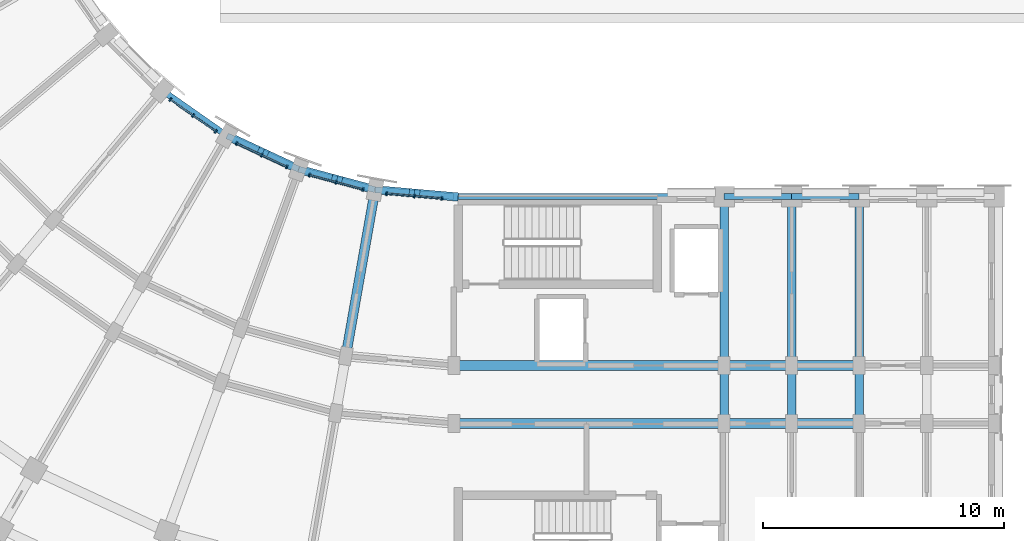
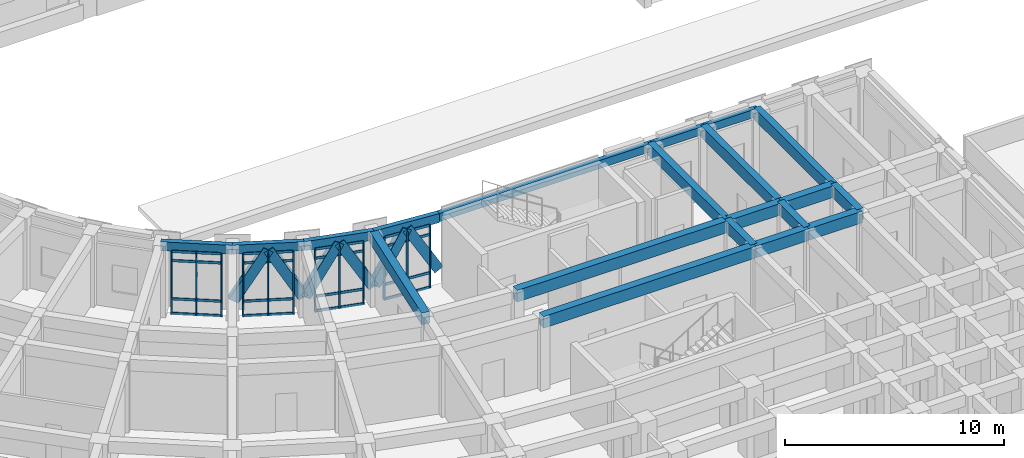
# One storey, part 10 of 97: 28 members, 26 beams, 4 elements without a shape of their own.
"""IFC4 building model written with IfcOpenShell, lengths in metres."""

from ifc_helpers import new_model, si_unit, direction, frame, origin, origin_2d, place, context, subcontext, project, spatial, rectangle, extrude, material, material_profile, profile_set, type_object, element, aggregate, save


model = new_model("IFC4")

# Units and contexts
model_context = context("Model", 3, precision=1e-05, world=origin(), true_north=direction((0.0, 1.0)))
body_context = subcontext(model_context, "Body", "Model", "MODEL_VIEW")
ifc_project = project(units=[si_unit("LENGTHUNIT", "METRE"), si_unit("AREAUNIT", "SQUARE_METRE"), si_unit("VOLUMEUNIT", "CUBIC_METRE"), si_unit("PLANEANGLEUNIT", "RADIAN"), si_unit("MASSUNIT", "GRAM", prefix="KILO")], contexts=[model_context])

# Site, building, storey
site_placement = place(None, origin())
site = spatial("IfcSite", under=ifc_project, at=site_placement, CompositionType="ELEMENT")
building_placement = place(site_placement, origin())
building = spatial("IfcBuilding", under=site, at=building_placement, Name="Kiranvali Square Residences", CompositionType="ELEMENT")
storey_placement = place(building_placement, frame((0.0, 0.0, 4.5)))
storey = spatial("IfcBuildingStorey", under=building, at=storey_placement, Name="L01", CompositionType="ELEMENT", Elevation=4.5)

# Beams
ifc_material_1 = material(Name="Concrete M40 (40 MPa)", Category="concrete")
ifc_material_profile_1 = material_profile(ifc_material_1, rectangle(XDim=0.35009765625, YDim=0.5, at=origin_2d()), Name="RC 350x500")
ifc_profile_set_1 = profile_set([ifc_material_profile_1], Name="Concrete M40 (40 MPa)")
beam_type_1 = type_object("IfcBeamType", Name="AR-M40-350x500", PredefinedType="USERDEFINED", material=ifc_profile_set_1)
beam_1_placement = place(storey_placement, frame((48.16015625, 29.403564453125, 0.89990234375), z_axis=(-0.500656395973, 0.043748910885, 0.864539881074), x_axis=(-0.087051384176, -0.996203822776, 0.0)))
element("IfcBeam", 1, at=beam_1_placement, inside=storey, type_object=beam_type_1, Name="Classical pointed Ottoman arch rib ARCH-C-CRV-0-00.1", ObjectType="ARCH RIB", PredefinedType="USERDEFINED", context=body_context, shape_type="SweptSolid", body=[
    extrude(rectangle(XDim=0.35009765625, YDim=0.5, at=origin_2d()), origin(), (0.0, 0.0, 1.0), 3.180908203125),
])
for number, where, z_axis, x_axis, name in (
    (2, (46.567626953125, 29.542724609375, 3.64990234375), (-0.50059719619, 0.043827200096, -0.864570195935), (-0.087216214448, -0.996189405654, 0.0), "Classical pointed Ottoman arch rib ARCH-C-CRV-0-00.2"),
    (3, (44.896728515625, 29.696044921875, 0.89990234375), (-0.485399548819, 0.130023218801, 0.864569974368), (-0.258746265032, -0.965945324712, 0.0), "Classical pointed Ottoman arch rib ARCH-C-CRV-0-01.1"),
):
    element("IfcBeam", number, at=place(storey_placement, frame(where, z_axis=z_axis, x_axis=x_axis)), inside=storey, type_object=beam_type_1, Name=name, ObjectType="ARCH RIB", PredefinedType="USERDEFINED", context=body_context, shape_type="SweptSolid", body=[
        extrude(rectangle(XDim=0.35009765625, YDim=0.5, at=origin_2d()), origin(), (0.0, 0.0, 1.0), 3.1806640625),
    ])
for number, where, z_axis, x_axis, name in (
    (4, (43.352783203125, 30.109619140625, 3.64990234375), (-0.485453370353, 0.130093828102, -0.864529132593), (-0.258850584986, -0.965917374651, 0.0), "Classical pointed Ottoman arch rib ARCH-C-CRV-0-01.2"),
    (5, (41.73388671875, 30.55078125, 0.89990234375), (-0.455517776274, 0.212370292662, 0.864524386176), (-0.422551033128, -0.906339133218, 0.0), "Classical pointed Ottoman arch rib ARCH-C-CRV-0-02.1"),
    (6, (40.284912109375, 31.226318359375, 3.64990234375), (-0.455456947565, 0.212377717208, -0.864554610275), (-0.422609524726, -0.906311861122, 0.0), "Classical pointed Ottoman arch rib ARCH-C-CRV-0-02.2"),
):
    element("IfcBeam", number, at=place(storey_placement, frame(where, z_axis=z_axis, x_axis=x_axis)), inside=storey, type_object=beam_type_1, Name=name, ObjectType="ARCH RIB", PredefinedType="USERDEFINED", context=body_context, shape_type="SweptSolid", body=[
        extrude(rectangle(XDim=0.35009765625, YDim=0.5, at=origin_2d()), origin(), (0.0, 0.0, 1.0), 3.180908203125),
    ])
ifc_material_profile_2 = material_profile(ifc_material_1, rectangle(XDim=0.35009765625, YDim=0.64990234375, at=origin_2d()), Name="RC 350x650")
ifc_profile_set_2 = profile_set([ifc_material_profile_2], Name="Concrete M40 (40 MPa)")
beam_type_2 = type_object("IfcBeamType", Name="BM-M40-350x650", PredefinedType="BEAM", material=ifc_profile_set_2)
beam_2_placement = place(storey_placement, frame((59.39990234375, 29.39990234375, 3.655029296875), z_axis=(0.0, -1.0, 0.0), x_axis=(1.0, 0.0, 0.0)))
element("IfcBeam", 7, at=beam_2_placement, inside=storey, type_object=beam_type_2, Name="L01 beam BM-C-L01-A1T1-01", PredefinedType="BEAM", context=body_context, shape_type="SweptSolid", body=[
    extrude(rectangle(XDim=0.35009765625, YDim=0.64990234375, at=origin_2d()), origin(), (0.0, 0.0, 1.0), 7.0),
])
beam_3_placement = place(storey_placement, frame((59.39990234375, 22.39990234375, 3.655029296875), z_axis=(0.0, -1.0, 0.0), x_axis=(1.0, 0.0, 0.0)))
element("IfcBeam", 8, at=beam_3_placement, inside=storey, type_object=beam_type_2, Name="L01 beam BM-C-L01-A1T1-12", PredefinedType="BEAM", context=body_context, shape_type="SweptSolid", body=[
    extrude(rectangle(XDim=0.35009765625, YDim=0.64990234375, at=origin_2d()), origin(), (0.0, 0.0, 1.0), 2.39990234375),
])
beam_4_placement = place(storey_placement, frame((62.199951171875, 29.39990234375, 3.655029296875), z_axis=(0.0, -1.0, 0.0), x_axis=(1.0, 0.0, 0.0)))
element("IfcBeam", 9, at=beam_4_placement, inside=storey, type_object=beam_type_2, Name="L01 beam BM-C-L01-A1T2-01", PredefinedType="BEAM", context=body_context, shape_type="SweptSolid", body=[
    extrude(rectangle(XDim=0.35009765625, YDim=0.64990234375, at=origin_2d()), origin(), (0.0, 0.0, 1.0), 7.0),
])
beam_5_placement = place(storey_placement, frame((62.199951171875, 22.39990234375, 3.655029296875), z_axis=(0.0, -1.0, 0.0), x_axis=(1.0, 0.0, 0.0)))
element("IfcBeam", 10, at=beam_5_placement, inside=storey, type_object=beam_type_2, Name="L01 beam BM-C-L01-A1T2-12", PredefinedType="BEAM", context=body_context, shape_type="SweptSolid", body=[
    extrude(rectangle(XDim=0.35009765625, YDim=0.64990234375, at=origin_2d()), origin(), (0.0, 0.0, 1.0), 2.39990234375),
])
beam_6_placement = place(storey_placement, frame((65.0, 29.39990234375, 3.655029296875), z_axis=(0.0, -1.0, 0.0), x_axis=(1.0, 0.0, 0.0)))
element("IfcBeam", 11, at=beam_6_placement, inside=storey, type_object=beam_type_2, Name="L01 beam BM-C-L01-A1T3-01", PredefinedType="BEAM", context=body_context, shape_type="SweptSolid", body=[
    extrude(rectangle(XDim=0.35009765625, YDim=0.64990234375, at=origin_2d()), origin(), (0.0, 0.0, 1.0), 7.0),
])
beam_7_placement = place(storey_placement, frame((65.0, 22.39990234375, 3.655029296875), z_axis=(0.0, -1.0, 0.0), x_axis=(1.0, 0.0, 0.0)))
element("IfcBeam", 12, at=beam_7_placement, inside=storey, type_object=beam_type_2, Name="L01 beam BM-C-L01-A1T3-12", PredefinedType="BEAM", context=body_context, shape_type="SweptSolid", body=[
    extrude(rectangle(XDim=0.35009765625, YDim=0.64990234375, at=origin_2d()), origin(), (0.0, 0.0, 1.0), 2.39990234375),
])
ifc_material_2 = material(Name="Concrete M45 (45 MPa)", Category="concrete")
ifc_material_profile_3 = material_profile(ifc_material_2, rectangle(XDim=0.39990234375, YDim=0.64990234375, at=origin_2d()), Name="RC 400x650")
ifc_profile_set_3 = profile_set([ifc_material_profile_3], Name="Concrete M45 (45 MPa)")
beam_type_3 = type_object("IfcBeamType", Name="BM-M45-400x650", PredefinedType="BEAM", material=ifc_profile_set_3)
beam_8_placement = place(storey_placement, frame((44.935302734375, 29.685546875, 3.655029296875), z_axis=(-0.173622177865, -0.984812337125, 0.0), x_axis=(0.984812337125, -0.173622177865, 0.0)))
element("IfcBeam", 13, at=beam_8_placement, inside=storey, type_object=beam_type_3, Name="L01 beam BM-C-L01-RAD01-01", PredefinedType="BEAM", context=body_context, shape_type="SweptSolid", body=[
    extrude(rectangle(XDim=0.39990234375, YDim=0.64990234375, at=origin_2d()), origin(), (0.0, 0.0, 1.0), 6.999755859375),
])
beam_9_placement = place(storey_placement, frame((48.199951171875, 22.39990234375, 3.655029296875), z_axis=(1.0, 0.0, 0.0), x_axis=(0.0, 1.0, 0.0)))
element("IfcBeam", 14, at=beam_9_placement, inside=storey, type_object=beam_type_3, Name="L01 beam BM-C-L01-A1U0-R1", PredefinedType="BEAM", context=body_context, shape_type="SweptSolid", body=[
    extrude(rectangle(XDim=0.39990234375, YDim=0.64990234375, at=origin_2d()), origin(), (0.0, 0.0, 1.0), 11.199951171875),
])
for number, where, z_axis, x_axis, name in (
    (15, (59.39990234375, 22.39990234375, 3.655029296875), (1.0, 0.0, 0.0), (0.0, 1.0, 0.0), "L01 beam BM-C-L01-A1U1-R1"),
    (16, (62.199951171875, 22.39990234375, 3.655029296875), (1.0, 0.0, 0.0), (0.0, 1.0, 0.0), "L01 beam BM-C-L01-A1U2-R1"),
):
    element("IfcBeam", number, at=place(storey_placement, frame(where, z_axis=z_axis, x_axis=x_axis)), inside=storey, type_object=beam_type_3, Name=name, PredefinedType="BEAM", context=body_context, shape_type="SweptSolid", body=[
        extrude(rectangle(XDim=0.39990234375, YDim=0.64990234375, at=origin_2d()), origin(), (0.0, 0.0, 1.0), 2.800048828125),
    ])
beam_10_placement = place(storey_placement, frame((48.199951171875, 20.0, 3.655029296875), z_axis=(1.0, 0.0, 0.0), x_axis=(0.0, 1.0, 0.0)))
element("IfcBeam", 17, at=beam_10_placement, inside=storey, type_object=beam_type_3, Name="L01 beam BM-C-L01-A1U0-R2", PredefinedType="BEAM", context=body_context, shape_type="SweptSolid", body=[
    extrude(rectangle(XDim=0.39990234375, YDim=0.64990234375, at=origin_2d()), origin(), (0.0, 0.0, 1.0), 11.199951171875),
])
for number, where, z_axis, x_axis, name in (
    (18, (59.39990234375, 20.0, 3.655029296875), (1.0, 0.0, 0.0), (0.0, 1.0, 0.0), "L01 beam BM-C-L01-A1U1-R2"),
    (19, (62.199951171875, 20.0, 3.655029296875), (1.0, 0.0, 0.0), (0.0, 1.0, 0.0), "L01 beam BM-C-L01-A1U2-R2"),
):
    element("IfcBeam", number, at=place(storey_placement, frame(where, z_axis=z_axis, x_axis=x_axis)), inside=storey, type_object=beam_type_3, Name=name, PredefinedType="BEAM", context=body_context, shape_type="SweptSolid", body=[
        extrude(rectangle(XDim=0.39990234375, YDim=0.64990234375, at=origin_2d()), origin(), (0.0, 0.0, 1.0), 2.800048828125),
    ])

# Curtain wall, members
ifc_material_3 = material(Name="Anodised bronze aluminium framing", Category="aluminium")
curtain_wall_type = type_object("IfcCurtainWallType", Name="CW-RET-SHOP", PredefinedType="USERDEFINED", material=ifc_material_3)
curtain_wall_1_placement = place(storey_placement, origin())
curtain_wall_1 = element("IfcCurtainWall", 20, at=curtain_wall_1_placement, inside=storey, type_object=curtain_wall_type, Name="Block C L01 garden foyer curtain wall 1", ObjectType="CURTAIN WALL", PredefinedType="USERDEFINED")
ifc_material_profile_4 = material_profile(ifc_material_3, rectangle(XDim=0.06494140625, YDim=0.159912109375, at=origin_2d()), Name="ALU 65x160")
ifc_profile_set_4 = profile_set([ifc_material_profile_4], Name="Anodised bronze aluminium framing")
member_type_1 = type_object("IfcMemberType", Name="CW-MUL-160", PredefinedType="MULLION", material=ifc_profile_set_4)
member_1_placement = place(storey_placement, frame((47.701416015625, 29.3232421875, 0.02001953125), z_axis=(0.0, 0.0, 1.0), x_axis=(-0.996194698092, 0.087155742748, 0.0)))
member_1 = element("IfcMember", 21, at=member_1_placement, type_object=member_type_1, Name="CW-C-L01-GDN-00 vertical mullion 1", PredefinedType="MULLION", context=body_context, shape_type="SweptSolid", body=[
    extrude(rectangle(XDim=0.06494140625, YDim=0.159912109375, at=origin_2d()), origin(), (0.0, 0.0, 1.0), 3.489990234375),
])
member_2_placement = place(storey_placement, frame((46.55712890625, 29.42333984375, 0.02001953125), z_axis=(0.0, 0.0, 1.0), x_axis=(-0.996194698092, 0.087155742748, 0.0)))
member_2 = element("IfcMember", 22, at=member_2_placement, type_object=member_type_1, Name="CW-C-L01-GDN-00 vertical mullion 2", PredefinedType="MULLION", context=body_context, shape_type="SweptSolid", body=[
    extrude(rectangle(XDim=0.06494140625, YDim=0.159912109375, at=origin_2d()), origin(), (0.0, 0.0, 1.0), 3.489990234375),
])
member_3_placement = place(storey_placement, frame((45.4130859375, 29.5234375, 0.02001953125), z_axis=(0.0, 0.0, 1.0), x_axis=(-0.996194698092, 0.087155742748, 0.0)))
member_3 = element("IfcMember", 23, at=member_3_placement, type_object=member_type_1, Name="CW-C-L01-GDN-00 vertical mullion 3", PredefinedType="MULLION", context=body_context, shape_type="SweptSolid", body=[
    extrude(rectangle(XDim=0.06494140625, YDim=0.159912109375, at=origin_2d()), origin(), (0.0, 0.0, 1.0), 3.489990234375),
])

curtain_wall_2_placement = place(storey_placement, origin())
curtain_wall_2 = element("IfcCurtainWall", 24, at=curtain_wall_2_placement, inside=storey, type_object=curtain_wall_type, Name="Block C L01 garden foyer curtain wall 2", ObjectType="CURTAIN WALL", PredefinedType="USERDEFINED")
member_4_placement = place(storey_placement, frame((44.43115234375, 29.696533203125, 0.02001953125), z_axis=(0.0, 0.0, 1.0), x_axis=(-0.965925826289, 0.258819045103, 0.0)))
member_4 = element("IfcMember", 25, at=member_4_placement, type_object=member_type_1, Name="CW-C-L01-GDN-01 vertical mullion 1", PredefinedType="MULLION", context=body_context, shape_type="SweptSolid", body=[
    extrude(rectangle(XDim=0.06494140625, YDim=0.159912109375, at=origin_2d()), origin(), (0.0, 0.0, 1.0), 3.489990234375),
])
member_5_placement = place(storey_placement, frame((43.32177734375, 29.993896484375, 0.02001953125), z_axis=(0.0, 0.0, 1.0), x_axis=(-0.965925826289, 0.258819045103, 0.0)))
member_5 = element("IfcMember", 26, at=member_5_placement, type_object=member_type_1, Name="CW-C-L01-GDN-01 vertical mullion 2", PredefinedType="MULLION", context=body_context, shape_type="SweptSolid", body=[
    extrude(rectangle(XDim=0.06494140625, YDim=0.159912109375, at=origin_2d()), origin(), (0.0, 0.0, 1.0), 3.489990234375),
])
member_6_placement = place(storey_placement, frame((42.212158203125, 30.291015625, 0.02001953125), z_axis=(0.0, 0.0, 1.0), x_axis=(-0.965925826289, 0.258819045103, 0.0)))
member_6 = element("IfcMember", 27, at=member_6_placement, type_object=member_type_1, Name="CW-C-L01-GDN-01 vertical mullion 3", PredefinedType="MULLION", context=body_context, shape_type="SweptSolid", body=[
    extrude(rectangle(XDim=0.06494140625, YDim=0.159912109375, at=origin_2d()), origin(), (0.0, 0.0, 1.0), 3.489990234375),
])

curtain_wall_3_placement = place(storey_placement, origin())
curtain_wall_3 = element("IfcCurtainWall", 28, at=curtain_wall_3_placement, inside=storey, type_object=curtain_wall_type, Name="Block C L01 garden foyer curtain wall 3", ObjectType="CURTAIN WALL", PredefinedType="USERDEFINED")
member_7_placement = place(storey_placement, frame((41.275146484375, 30.632080078125, 0.02001953125), z_axis=(0.0, 0.0, 1.0), x_axis=(-0.906307787037, 0.422618261741, 0.0)))
member_7 = element("IfcMember", 29, at=member_7_placement, type_object=member_type_1, Name="CW-C-L01-GDN-02 vertical mullion 1", PredefinedType="MULLION", context=body_context, shape_type="SweptSolid", body=[
    extrude(rectangle(XDim=0.06494140625, YDim=0.159912109375, at=origin_2d()), origin(), (0.0, 0.0, 1.0), 3.489990234375),
])
member_8_placement = place(storey_placement, frame((40.234375, 31.117431640625, 0.02001953125), z_axis=(0.0, 0.0, 1.0), x_axis=(-0.906307787037, 0.422618261741, 0.0)))
member_8 = element("IfcMember", 30, at=member_8_placement, type_object=member_type_1, Name="CW-C-L01-GDN-02 vertical mullion 2", PredefinedType="MULLION", context=body_context, shape_type="SweptSolid", body=[
    extrude(rectangle(XDim=0.06494140625, YDim=0.159912109375, at=origin_2d()), origin(), (0.0, 0.0, 1.0), 3.489990234375),
])
member_9_placement = place(storey_placement, frame((39.193359375, 31.602783203125, 0.02001953125), z_axis=(0.0, 0.0, 1.0), x_axis=(-0.906307787037, 0.422618261741, 0.0)))
member_9 = element("IfcMember", 31, at=member_9_placement, type_object=member_type_1, Name="CW-C-L01-GDN-02 vertical mullion 3", PredefinedType="MULLION", context=body_context, shape_type="SweptSolid", body=[
    extrude(rectangle(XDim=0.06494140625, YDim=0.159912109375, at=origin_2d()), origin(), (0.0, 0.0, 1.0), 3.489990234375),
])

curtain_wall_4_placement = place(storey_placement, origin())
curtain_wall_4 = element("IfcCurtainWall", 32, at=curtain_wall_4_placement, inside=storey, type_object=curtain_wall_type, Name="Block C L01 garden foyer curtain wall 4", ObjectType="CURTAIN WALL", PredefinedType="USERDEFINED")
member_10_placement = place(storey_placement, frame((38.329833984375, 32.1015625, 0.02001953125), z_axis=(0.0, 0.0, 1.0), x_axis=(-0.819152044289, 0.573576436351, 0.0)))
member_10 = element("IfcMember", 33, at=member_10_placement, type_object=member_type_1, Name="CW-C-L01-GDN-03 vertical mullion 1", PredefinedType="MULLION", context=body_context, shape_type="SweptSolid", body=[
    extrude(rectangle(XDim=0.06494140625, YDim=0.159912109375, at=origin_2d()), origin(), (0.0, 0.0, 1.0), 3.489990234375),
])
member_11_placement = place(storey_placement, frame((37.388916015625, 32.76025390625, 0.02001953125), z_axis=(0.0, 0.0, 1.0), x_axis=(-0.819152044289, 0.573576436351, 0.0)))
member_11 = element("IfcMember", 34, at=member_11_placement, type_object=member_type_1, Name="CW-C-L01-GDN-03 vertical mullion 2", PredefinedType="MULLION", context=body_context, shape_type="SweptSolid", body=[
    extrude(rectangle(XDim=0.06494140625, YDim=0.159912109375, at=origin_2d()), origin(), (0.0, 0.0, 1.0), 3.489990234375),
])
member_12_placement = place(storey_placement, frame((36.4482421875, 33.4189453125, 0.02001953125), z_axis=(0.0, 0.0, 1.0), x_axis=(-0.819152044289, 0.573576436351, 0.0)))
member_12 = element("IfcMember", 35, at=member_12_placement, type_object=member_type_1, Name="CW-C-L01-GDN-03 vertical mullion 3", PredefinedType="MULLION", context=body_context, shape_type="SweptSolid", body=[
    extrude(rectangle(XDim=0.06494140625, YDim=0.159912109375, at=origin_2d()), origin(), (0.0, 0.0, 1.0), 3.489990234375),
])

# Member
ifc_material_profile_5 = material_profile(ifc_material_3, rectangle(XDim=0.06494140625, YDim=0.139892578125, at=origin_2d()), Name="ALU 65x140")
ifc_profile_set_5 = profile_set([ifc_material_profile_5], Name="Anodised bronze aluminium framing")
member_type_2 = type_object("IfcMemberType", Name="CW-TRN-140", PredefinedType="MULLION", material=ifc_profile_set_5)
member_13_placement = place(storey_placement, frame((47.69140625, 29.323974609375, 0.0400390625), z_axis=(-0.996193368341, 0.08717094053, 0.0), x_axis=(-0.08717094053, -0.996193368341, 0.0)))
member_13 = element("IfcMember", 36, at=member_13_placement, type_object=member_type_2, Name="CW-C-L01-GDN-00 horizontal transom 1", PredefinedType="MULLION", context=body_context, shape_type="SweptSolid", body=[
    extrude(rectangle(XDim=0.06494140625, YDim=0.139892578125, at=origin_2d()), origin(), (0.0, 0.0, 1.0), 2.277099609375),
])

member_14_placement = place(storey_placement, frame((47.69140625, 29.323974609375, 0.85009765625), z_axis=(-0.996193368341, 0.08717094053, 0.0), x_axis=(-0.08717094053, -0.996193368341, 0.0)))
member_14 = element("IfcMember", 37, at=member_14_placement, type_object=member_type_2, Name="CW-C-L01-GDN-00 horizontal transom 2", PredefinedType="MULLION", context=body_context, shape_type="SweptSolid", body=[
    extrude(rectangle(XDim=0.06494140625, YDim=0.139892578125, at=origin_2d()), origin(), (0.0, 0.0, 1.0), 2.277099609375),
])

member_15_placement = place(storey_placement, frame((47.69140625, 29.323974609375, 2.97998046875), z_axis=(-0.996193368341, 0.08717094053, 0.0), x_axis=(-0.08717094053, -0.996193368341, 0.0)))
member_15 = element("IfcMember", 38, at=member_15_placement, type_object=member_type_2, Name="CW-C-L01-GDN-00 horizontal transom 3", PredefinedType="MULLION", context=body_context, shape_type="SweptSolid", body=[
    extrude(rectangle(XDim=0.06494140625, YDim=0.139892578125, at=origin_2d()), origin(), (0.0, 0.0, 1.0), 2.277099609375),
])

member_16_placement = place(storey_placement, frame((47.69140625, 29.323974609375, 3.489990234375), z_axis=(-0.996193368341, 0.08717094053, 0.0), x_axis=(-0.08717094053, -0.996193368341, 0.0)))
member_16 = element("IfcMember", 39, at=member_16_placement, type_object=member_type_2, Name="CW-C-L01-GDN-00 horizontal transom 4", PredefinedType="MULLION", context=body_context, shape_type="SweptSolid", body=[
    extrude(rectangle(XDim=0.06494140625, YDim=0.139892578125, at=origin_2d()), origin(), (0.0, 0.0, 1.0), 2.277099609375),
])

aggregate(curtain_wall_1, [member_1, member_2, member_3, member_13, member_14, member_15, member_16])

member_17_placement = place(storey_placement, frame((44.42138671875, 29.69921875, 0.0400390625), z_axis=(-0.965924600635, 0.258823619262, 0.0), x_axis=(-0.258823619262, -0.965924600635, 0.0)))
member_17 = element("IfcMember", 40, at=member_17_placement, type_object=member_type_2, Name="CW-C-L01-GDN-01 horizontal transom 1", PredefinedType="MULLION", context=body_context, shape_type="SweptSolid", body=[
    extrude(rectangle(XDim=0.06494140625, YDim=0.139892578125, at=origin_2d()), origin(), (0.0, 0.0, 1.0), 2.277099609375),
])

member_18_placement = place(storey_placement, frame((44.42138671875, 29.69921875, 0.85009765625), z_axis=(-0.965924600635, 0.258823619262, 0.0), x_axis=(-0.258823619262, -0.965924600635, 0.0)))
member_18 = element("IfcMember", 41, at=member_18_placement, type_object=member_type_2, Name="CW-C-L01-GDN-01 horizontal transom 2", PredefinedType="MULLION", context=body_context, shape_type="SweptSolid", body=[
    extrude(rectangle(XDim=0.06494140625, YDim=0.139892578125, at=origin_2d()), origin(), (0.0, 0.0, 1.0), 2.277099609375),
])

member_19_placement = place(storey_placement, frame((44.42138671875, 29.69921875, 2.97998046875), z_axis=(-0.965924600635, 0.258823619262, 0.0), x_axis=(-0.258823619262, -0.965924600635, 0.0)))
member_19 = element("IfcMember", 42, at=member_19_placement, type_object=member_type_2, Name="CW-C-L01-GDN-01 horizontal transom 3", PredefinedType="MULLION", context=body_context, shape_type="SweptSolid", body=[
    extrude(rectangle(XDim=0.06494140625, YDim=0.139892578125, at=origin_2d()), origin(), (0.0, 0.0, 1.0), 2.277099609375),
])

member_20_placement = place(storey_placement, frame((44.42138671875, 29.69921875, 3.489990234375), z_axis=(-0.965924600635, 0.258823619262, 0.0), x_axis=(-0.258823619262, -0.965924600635, 0.0)))
member_20 = element("IfcMember", 43, at=member_20_placement, type_object=member_type_2, Name="CW-C-L01-GDN-01 horizontal transom 4", PredefinedType="MULLION", context=body_context, shape_type="SweptSolid", body=[
    extrude(rectangle(XDim=0.06494140625, YDim=0.139892578125, at=origin_2d()), origin(), (0.0, 0.0, 1.0), 2.277099609375),
])

aggregate(curtain_wall_2, [member_4, member_5, member_6, member_17, member_18, member_19, member_20])

member_21_placement = place(storey_placement, frame((41.26611328125, 30.63623046875, 0.0400390625), z_axis=(-0.906295410754, 0.42264480175, 0.0), x_axis=(-0.42264480175, -0.906295410754, 0.0)))
member_21 = element("IfcMember", 44, at=member_21_placement, type_object=member_type_2, Name="CW-C-L01-GDN-02 horizontal transom 1", PredefinedType="MULLION", context=body_context, shape_type="SweptSolid", body=[
    extrude(rectangle(XDim=0.06494140625, YDim=0.139892578125, at=origin_2d()), origin(), (0.0, 0.0, 1.0), 2.277099609375),
])

member_22_placement = place(storey_placement, frame((41.26611328125, 30.63623046875, 0.85009765625), z_axis=(-0.906295410754, 0.42264480175, 0.0), x_axis=(-0.42264480175, -0.906295410754, 0.0)))
member_22 = element("IfcMember", 45, at=member_22_placement, type_object=member_type_2, Name="CW-C-L01-GDN-02 horizontal transom 2", PredefinedType="MULLION", context=body_context, shape_type="SweptSolid", body=[
    extrude(rectangle(XDim=0.06494140625, YDim=0.139892578125, at=origin_2d()), origin(), (0.0, 0.0, 1.0), 2.277099609375),
])

member_23_placement = place(storey_placement, frame((41.26611328125, 30.63623046875, 2.97998046875), z_axis=(-0.906295410754, 0.42264480175, 0.0), x_axis=(-0.42264480175, -0.906295410754, 0.0)))
member_23 = element("IfcMember", 46, at=member_23_placement, type_object=member_type_2, Name="CW-C-L01-GDN-02 horizontal transom 3", PredefinedType="MULLION", context=body_context, shape_type="SweptSolid", body=[
    extrude(rectangle(XDim=0.06494140625, YDim=0.139892578125, at=origin_2d()), origin(), (0.0, 0.0, 1.0), 2.277099609375),
])

member_24_placement = place(storey_placement, frame((41.26611328125, 30.63623046875, 3.489990234375), z_axis=(-0.906295410754, 0.42264480175, 0.0), x_axis=(-0.42264480175, -0.906295410754, 0.0)))
member_24 = element("IfcMember", 47, at=member_24_placement, type_object=member_type_2, Name="CW-C-L01-GDN-02 horizontal transom 4", PredefinedType="MULLION", context=body_context, shape_type="SweptSolid", body=[
    extrude(rectangle(XDim=0.06494140625, YDim=0.139892578125, at=origin_2d()), origin(), (0.0, 0.0, 1.0), 2.277099609375),
])

aggregate(curtain_wall_3, [member_7, member_8, member_9, member_21, member_22, member_23, member_24])

member_25_placement = place(storey_placement, frame((38.321533203125, 32.107177734375, 0.0400390625), z_axis=(-0.819131167898, 0.573606249772, 0.0), x_axis=(-0.573606249772, -0.819131167898, 0.0)))
member_25 = element("IfcMember", 48, at=member_25_placement, type_object=member_type_2, Name="CW-C-L01-GDN-03 horizontal transom 1", PredefinedType="MULLION", context=body_context, shape_type="SweptSolid", body=[
    extrude(rectangle(XDim=0.06494140625, YDim=0.139892578125, at=origin_2d()), origin(), (0.0, 0.0, 1.0), 2.277099609375),
])

member_26_placement = place(storey_placement, frame((38.321533203125, 32.107177734375, 0.85009765625), z_axis=(-0.819131167898, 0.573606249772, 0.0), x_axis=(-0.573606249772, -0.819131167898, 0.0)))
member_26 = element("IfcMember", 49, at=member_26_placement, type_object=member_type_2, Name="CW-C-L01-GDN-03 horizontal transom 2", PredefinedType="MULLION", context=body_context, shape_type="SweptSolid", body=[
    extrude(rectangle(XDim=0.06494140625, YDim=0.139892578125, at=origin_2d()), origin(), (0.0, 0.0, 1.0), 2.277099609375),
])

member_27_placement = place(storey_placement, frame((38.321533203125, 32.107177734375, 2.97998046875), z_axis=(-0.819131167898, 0.573606249772, 0.0), x_axis=(-0.573606249772, -0.819131167898, 0.0)))
member_27 = element("IfcMember", 50, at=member_27_placement, type_object=member_type_2, Name="CW-C-L01-GDN-03 horizontal transom 3", PredefinedType="MULLION", context=body_context, shape_type="SweptSolid", body=[
    extrude(rectangle(XDim=0.06494140625, YDim=0.139892578125, at=origin_2d()), origin(), (0.0, 0.0, 1.0), 2.277099609375),
])

member_28_placement = place(storey_placement, frame((38.321533203125, 32.107177734375, 3.489990234375), z_axis=(-0.819131167898, 0.573606249772, 0.0), x_axis=(-0.573606249772, -0.819131167898, 0.0)))
member_28 = element("IfcMember", 51, at=member_28_placement, type_object=member_type_2, Name="CW-C-L01-GDN-03 horizontal transom 4", PredefinedType="MULLION", context=body_context, shape_type="SweptSolid", body=[
    extrude(rectangle(XDim=0.06494140625, YDim=0.139892578125, at=origin_2d()), origin(), (0.0, 0.0, 1.0), 2.277099609375),
])

aggregate(curtain_wall_4, [member_10, member_11, member_12, member_25, member_26, member_27, member_28])

# Beams
ifc_material_profile_6 = material_profile(ifc_material_1, rectangle(XDim=0.25, YDim=0.449951171875, at=origin_2d()), Name="RC 250x450")
ifc_profile_set_6 = profile_set([ifc_material_profile_6], Name="Concrete M40 (40 MPa)")
beam_type_4 = type_object("IfcBeamType", Name="SPN-M40-250x450", PredefinedType="SPANDREL", material=ifc_profile_set_6)
beam_11_placement = place(storey_placement, frame((48.199951171875, 29.39990234375, 3.7548828125), z_axis=(1.0, 0.0, 0.0), x_axis=(0.0, 1.0, 0.0)))
element("IfcBeam", 52, at=beam_11_placement, inside=storey, type_object=beam_type_4, Name="L01 beam BM-C-L01-A1U0-R0", PredefinedType="SPANDREL", context=body_context, shape_type="SweptSolid", body=[
    extrude(rectangle(XDim=0.25, YDim=0.449951171875, at=origin_2d()), origin(), (0.0, 0.0, 1.0), 11.199951171875),
])
for number, where, z_axis, x_axis, name in (
    (53, (59.39990234375, 29.39990234375, 3.7548828125), (1.0, 0.0, 0.0), (0.0, 1.0, 0.0), "L01 beam BM-C-L01-A1U1-R0"),
    (54, (62.199951171875, 29.39990234375, 3.7548828125), (1.0, 0.0, 0.0), (0.0, 1.0, 0.0), "L01 beam BM-C-L01-A1U2-R0"),
):
    element("IfcBeam", number, at=place(storey_placement, frame(where, z_axis=z_axis, x_axis=x_axis)), inside=storey, type_object=beam_type_4, Name=name, PredefinedType="SPANDREL", context=body_context, shape_type="SweptSolid", body=[
        extrude(rectangle(XDim=0.25, YDim=0.449951171875, at=origin_2d()), origin(), (0.0, 0.0, 1.0), 2.800048828125),
    ])
ifc_material_profile_7 = material_profile(ifc_material_1, rectangle(XDim=0.25, YDim=0.5, at=origin_2d()), Name="RC 250x500")
ifc_profile_set_7 = profile_set([ifc_material_profile_7], Name="Concrete M40 (40 MPa)")
beam_type_5 = type_object("IfcBeamType", Name="SPN-M40-250x500", PredefinedType="SPANDREL", material=ifc_profile_set_7)
beam_12_placement = place(storey_placement, frame((48.199951171875, 29.39990234375, 3.72998046875), z_axis=(-0.996194040944, 0.087163253657, 0.0), x_axis=(-0.087163253657, -0.996194040944, 0.0)))
element("IfcBeam", 55, at=beam_12_placement, inside=storey, type_object=beam_type_5, Name="L01 beam BM-C-L01-C00-R0", PredefinedType="SPANDREL", context=body_context, shape_type="SweptSolid", body=[
    extrude(rectangle(XDim=0.25, YDim=0.5, at=origin_2d()), origin(), (0.0, 0.0, 1.0), 3.277099609375),
])
beam_13_placement = place(storey_placement, frame((44.935302734375, 29.685546875, 3.72998046875), z_axis=(-0.965925105099, 0.258821736607, 0.0), x_axis=(-0.258821736607, -0.965925105099, 0.0)))
element("IfcBeam", 56, at=beam_13_placement, inside=storey, type_object=beam_type_5, Name="L01 beam BM-C-L01-C01-R0", PredefinedType="SPANDREL", context=body_context, shape_type="SweptSolid", body=[
    extrude(rectangle(XDim=0.25, YDim=0.5, at=origin_2d()), origin(), (0.0, 0.0, 1.0), 3.27685546875),
])
for number, where, z_axis, x_axis, name in (
    (57, (41.77001953125, 30.53369140625, 3.72998046875), (-0.90629730464, 0.422640740585, 0.0), (-0.422640740585, -0.90629730464, 0.0), "L01 beam BM-C-L01-C02-R0"),
    (58, (38.800048828125, 31.918701171875, 3.72998046875), (-0.81916891812, 0.573552337269, 0.0), (-0.573552337269, -0.81916891812, 0.0), "L01 beam BM-C-L01-C03-R0"),
):
    element("IfcBeam", number, at=place(storey_placement, frame(where, z_axis=z_axis, x_axis=x_axis)), inside=storey, type_object=beam_type_5, Name=name, PredefinedType="SPANDREL", context=body_context, shape_type="SweptSolid", body=[
        extrude(rectangle(XDim=0.25, YDim=0.5, at=origin_2d()), origin(), (0.0, 0.0, 1.0), 3.277099609375),
    ])

save(model, "model.ifc")
